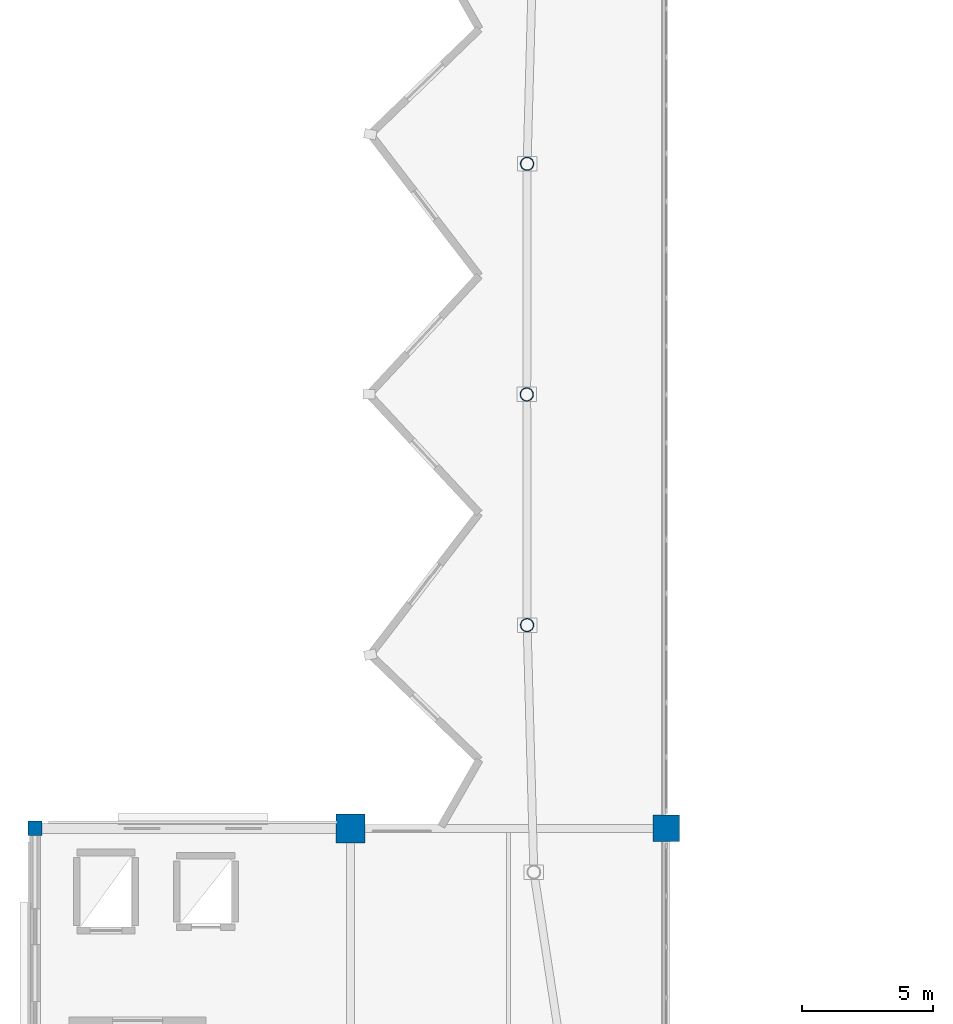
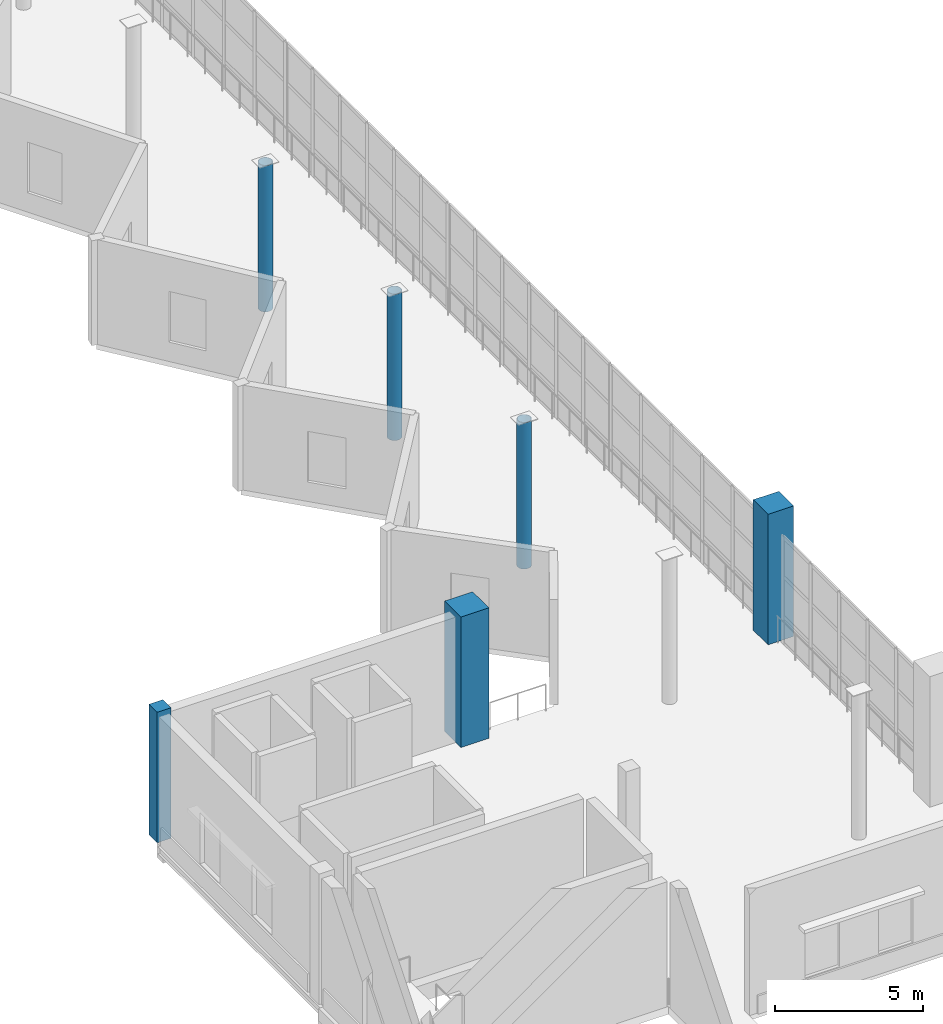
# One storey, part 3 of 49: 6 columns.
"""IFC4 building model written with IfcOpenShell, lengths in metres."""

import ifcopenshell
import ifcopenshell.guid

model = None  # the IFC model being written
_history = None  # IfcOwnerHistory: only IFC2X3 demands one
_inside = {}  # id of a spatial element -> (the spatial element, [elements in it])
_under = {}  # id of a project, library or spatial element -> (it, [spatial elements below it])
_declared = {}  # id of a project -> (the project, [libraries it declares])
_typed = {}  # id of a type object -> (the type object, [elements of that type])
_made_of = {}  # id of a material, layer set ... -> (it, [elements and type objects made of it])


def new_model(schema):
    """Start an empty IFC model of exactly this schema.

    Asked for "IFC4X3", IfcOpenShell would pick the latest addendum, in which some entities
    have other attributes; the version numbers below select the first issue.
    IFC2X3 requires an IfcOwnerHistory on every rooted entity: one is made here for all.
    """
    global model, _history
    if schema == "IFC4X3":
        model = ifcopenshell.file(schema_version=(4, 3, 0, 0))
    else:
        model = ifcopenshell.file(schema=schema)
    _inside.clear()
    _under.clear()
    _declared.clear()
    _typed.clear()
    _made_of.clear()
    _history = None
    if model.schema == "IFC2X3":
        org = make("IfcOrganization", Name="unknown")
        user = make(
            "IfcPersonAndOrganization",
            ThePerson=make("IfcPerson", FamilyName="unknown"),
            TheOrganization=org,
        )
        app = make(
            "IfcApplication",
            ApplicationDeveloper=org,
            Version="unknown",
            ApplicationFullName="unknown",
            ApplicationIdentifier="unknown",
        )
        _history = make(
            "IfcOwnerHistory",
            OwningUser=user,
            OwningApplication=app,
            ChangeAction="ADDED",
            CreationDate=0,
        )
    return model


def make(cls, **values):
    """One entity of the class cls with the attributes given. An attribute that is None is left unset."""
    return model.create_entity(
        cls, **{name: value for name, value in values.items() if value is not None}
    )


def rooted(cls, **values):
    """An entity with a GlobalId (a new one), such as an element, a storey or a relation."""
    return make(cls, GlobalId=ifcopenshell.guid.new(), OwnerHistory=_history, **values)


def si_unit(unit_type, name, prefix=None):
    """IfcSIUnit, for example si_unit("LENGTHUNIT", "METRE", prefix="MILLI")."""
    return make("IfcSIUnit", UnitType=unit_type, Prefix=prefix, Name=name)


def assignment(units):
    """IfcUnitAssignment: the units of a project."""
    return None if units is None else make("IfcUnitAssignment", Units=units)


def point(xyz):
    """IfcCartesianPoint."""
    return None if xyz is None else make("IfcCartesianPoint", Coordinates=xyz)


def direction(xyz):
    """IfcDirection."""
    return None if xyz is None else make("IfcDirection", DirectionRatios=xyz)


def frame(location, z_axis=None, x_axis=None):
    """IfcAxis2Placement3D, a coordinate frame: its origin and axes. An axis left out is left unset."""
    return make(
        "IfcAxis2Placement3D",
        Location=point(location),
        Axis=direction(z_axis),
        RefDirection=direction(x_axis),
    )


def frame_2d(location, x_axis=None):
    """IfcAxis2Placement2D, a coordinate frame in the plane: its origin and x axis."""
    return make(
        "IfcAxis2Placement2D", Location=point(location), RefDirection=direction(x_axis)
    )


def origin():
    """The frame at (0, 0, 0) with its axes left unset."""
    return frame((0.0, 0.0, 0.0))


def origin_2d():
    """The frame at (0, 0) in the plane with its x axis left unset."""
    return frame_2d((0.0, 0.0))


def place(relative_to, where):
    """IfcLocalPlacement: puts the frame where relative to a parent placement (None: the world)."""
    return make(
        "IfcLocalPlacement", PlacementRelTo=relative_to, RelativePlacement=where
    )


def context(
    kind, dimensions, precision=None, world=None, true_north=None, identifier=None
):
    """IfcGeometricRepresentationContext, for example the 3D "Model" context."""
    return make(
        "IfcGeometricRepresentationContext",
        ContextIdentifier=identifier,
        ContextType=kind,
        CoordinateSpaceDimension=dimensions,
        Precision=precision,
        WorldCoordinateSystem=world,
        TrueNorth=true_north,
    )


def subcontext(parent, identifier, kind, view, scale=None):
    """IfcGeometricRepresentationSubContext, for example "Body" below "Model"."""
    return make(
        "IfcGeometricRepresentationSubContext",
        ContextIdentifier=identifier,
        ContextType=kind,
        ParentContext=parent,
        TargetScale=scale,
        TargetView=view,
    )


def project(units=None, contexts=None):
    """IfcProject with its units and contexts."""
    return rooted(
        "IfcProject",
        Name="project",
        RepresentationContexts=contexts,
        UnitsInContext=assignment(units),
    )


def spatial(cls, under=None, at=None, **own):
    """A site, building, storey or space (cls), placed at a placement, below another one or the project."""
    s = rooted(cls, ObjectPlacement=at, **own)
    if under is not None:
        _under.setdefault(under.id(), (under, []))[1].append(s)
    return s


def profile(cls, at=None, kind="AREA", **sizes):
    """A parametric profile (cls). Its sizes go by their IFC names, for example OverallWidth=200.0."""
    return make(cls, ProfileType=kind, Position=at, **sizes)


def rectangle(**sizes):
    """IfcRectangleProfileDef."""
    return profile("IfcRectangleProfileDef", **sizes)


def hollow_circle(**sizes):
    """IfcCircleHollowProfileDef."""
    return profile("IfcCircleHollowProfileDef", **sizes)


def extrude(swept, where, along, depth):
    """IfcExtrudedAreaSolid: the profile swept, set in the frame where, extruded along a direction by depth."""
    return make(
        "IfcExtrudedAreaSolid",
        SweptArea=swept,
        Position=where,
        ExtrudedDirection=direction(along),
        Depth=depth,
    )


def shape(context_of_items, identifier, shape_type, items):
    """IfcShapeRepresentation: the items that make up one representation, for example the "Body"."""
    return make(
        "IfcShapeRepresentation",
        ContextOfItems=context_of_items,
        RepresentationIdentifier=identifier,
        RepresentationType=shape_type,
        Items=items,
    )


def material(Name=None, Category=None):
    """IfcMaterial."""
    return make("IfcMaterial", Name=Name, Category=Category)


def material_profile(
    of_material, cross_section, Name=None, Category=None, Priority=None
):
    """IfcMaterialProfile: a cross section and its material."""
    return make(
        "IfcMaterialProfile",
        Name=Name,
        Material=of_material,
        Profile=cross_section,
        Priority=Priority,
        Category=Category,
    )


def profile_set(profiles, Name=None, composite=None):
    """IfcMaterialProfileSet."""
    return make(
        "IfcMaterialProfileSet",
        Name=Name,
        MaterialProfiles=profiles,
        CompositeProfile=composite,
    )


def made_of(thing, what):
    """Note that an element or type object is made of a material, layer set ...; save() writes the relation."""
    if what is not None:
        _made_of.setdefault(what.id(), (what, []))[1].append(thing)
    return thing


def type_object(cls, material=None, **own):
    """A type object (cls), such as IfcWallType, which elements share."""
    return made_of(rooted(cls, **own), material)


def element(
    cls,
    number,
    at=None,
    inside=None,
    cuts=None,
    type_object=None,
    material=None,
    context=None,
    identifier="Body",
    shape_type=None,
    held_by="IfcProductDefinitionShape",
    body=None,
    shapes=None,
    **own,
):
    """One element of the class cls, such as IfcWall. Its Tag is "e" and its number.

    at: its placement. inside: the storey or other place that contains it. cuts: it is an
    opening in that element (IfcRelVoidsElement). A single representation is given by context,
    identifier, shape_type and body (its items); several are given by shapes. held_by: the class
    of the entity that holds the representations. save() writes the other relations.
    """
    e = rooted(cls, Tag="e%d" % number, ObjectPlacement=at, **own)
    if body is not None:
        shapes = [shape(context, identifier, shape_type, body)]
    if shapes is not None:
        e.Representation = make(held_by, Representations=shapes)
    if inside is not None:
        _inside.setdefault(inside.id(), (inside, []))[1].append(e)
    if cuts is not None:
        rooted(
            "IfcRelVoidsElement", RelatingBuildingElement=cuts, RelatedOpeningElement=e
        )
    if type_object is not None:
        _typed.setdefault(type_object.id(), (type_object, []))[1].append(e)
    return made_of(e, material)


def aggregate(whole, parts):
    """IfcRelAggregates: a whole, such as a stair, and the parts it consists of."""
    return rooted("IfcRelAggregates", RelatingObject=whole, RelatedObjects=parts)


def save(model, path):
    """Write the relations noted so far, then the file.

    IfcRelAggregates (storeys below a building ...), IfcRelContainedInSpatialStructure (elements
    in a storey), IfcRelDefinesByType, IfcRelAssociatesMaterial and IfcRelDeclares: one each for
    every whole, place, type object, material and project.
    """
    for whole, parts in _under.values():
        aggregate(whole, parts)
    for where, things in _inside.values():
        rooted(
            "IfcRelContainedInSpatialStructure",
            RelatedElements=things,
            RelatingStructure=where,
        )
    for kind, things in _typed.values():
        rooted("IfcRelDefinesByType", RelatedObjects=things, RelatingType=kind)
    for what, things in _made_of.values():
        rooted("IfcRelAssociatesMaterial", RelatedObjects=things, RelatingMaterial=what)
    for by, libraries in _declared.values():
        rooted("IfcRelDeclares", RelatingContext=by, RelatedDefinitions=libraries)
    model.write(path)


model = new_model("IFC4")

# Units and contexts
model_context = context("Model", 3, precision=1e-05, world=origin(), true_north=direction((0.0, 1.0)))
body_context = subcontext(model_context, "Body", "Model", "MODEL_VIEW")
ifc_project = project(units=[si_unit("LENGTHUNIT", "METRE"), si_unit("AREAUNIT", "SQUARE_METRE"), si_unit("VOLUMEUNIT", "CUBIC_METRE"), si_unit("PLANEANGLEUNIT", "RADIAN"), si_unit("MASSUNIT", "GRAM", prefix="KILO")], contexts=[model_context])

# Site, building, storey
site_placement = place(None, origin())
site = spatial("IfcSite", under=ifc_project, at=site_placement, CompositionType="ELEMENT")
building_placement = place(site_placement, origin())
building = spatial("IfcBuilding", under=site, at=building_placement, Name="Luwafu Chhajja Arena", CompositionType="ELEMENT")
storey_placement = place(building_placement, frame((0.0, 0.0, 24.300048828125)))
storey = spatial("IfcBuildingStorey", under=building, at=storey_placement, Name="L05", CompositionType="ELEMENT", Elevation=24.300048828125)

# Columns
ifc_material_1 = material(Name="Concrete C40/50", Category="concrete")
ifc_material_profile_1 = material_profile(ifc_material_1, rectangle(XDim=1.0, YDim=1.0, at=origin_2d()), Name="RC 1000x1000")
ifc_profile_set_1 = profile_set([ifc_material_profile_1], Name="Concrete C40/50")
column_type_1 = type_object("IfcColumnType", Name="Bowl Primary Column RC 1000", PredefinedType="COLUMN", material=ifc_profile_set_1)
column_1_placement = place(storey_placement, frame((58.0, 33.0, 0.0), z_axis=(0.0, 0.0, 1.0), x_axis=(1.0, 0.0, 0.0)))
element("IfcColumn", 1, at=column_1_placement, inside=storey, type_object=column_type_1, Name="L05 Grid Column 6/D", PredefinedType="COLUMN", context=body_context, shape_type="SweptSolid", body=[
    extrude(rectangle(XDim=1.0, YDim=1.0, at=origin_2d()), origin(), (0.0, 0.0, 1.0), 5.39990234375),
])
ifc_material_profile_2 = material_profile(ifc_material_1, rectangle(XDim=1.10009765625, YDim=1.10009765625, at=origin_2d()), Name="RC 1100x1100")
ifc_profile_set_2 = profile_set([ifc_material_profile_2], Name="Concrete C40/50")
column_type_2 = type_object("IfcColumnType", Name="Bowl Rim Mega Column RC 1100", PredefinedType="COLUMN", material=ifc_profile_set_2)
column_2_placement = place(storey_placement, frame((46.0, 33.0, 0.0), z_axis=(0.0, 0.0, 1.0), x_axis=(1.0, 0.0, 0.0)))
element("IfcColumn", 2, at=column_2_placement, inside=storey, type_object=column_type_2, Name="L05 Grid Column 5/D", PredefinedType="COLUMN", context=body_context, shape_type="SweptSolid", body=[
    extrude(rectangle(XDim=1.10009765625, YDim=1.10009765625, at=origin_2d()), origin(), (0.0, 0.0, 1.0), 5.39990234375),
])
ifc_material_2 = material(Name="Concrete C35/45", Category="concrete")
ifc_material_profile_3 = material_profile(ifc_material_2, rectangle(XDim=0.550048828125, YDim=0.550048828125, at=origin_2d()), Name="RC 550x550")
ifc_profile_set_3 = profile_set([ifc_material_profile_3], Name="Concrete C35/45")
column_type_3 = type_object("IfcColumnType", Name="Gallery Column RC 550", PredefinedType="COLUMN", material=ifc_profile_set_3)
column_3_placement = place(storey_placement, frame((34.0, 33.0, 0.0), z_axis=(0.0, 0.0, 1.0), x_axis=(1.0, 0.0, 0.0)))
element("IfcColumn", 3, at=column_3_placement, inside=storey, type_object=column_type_3, Name="L05 Grid Column 4/D", PredefinedType="COLUMN", context=body_context, shape_type="SweptSolid", body=[
    extrude(rectangle(XDim=0.550048828125, YDim=0.550048828125, at=origin_2d()), origin(), (0.0, 0.0, 1.0), 5.39990234375),
])
ifc_material_3 = material(Name="Steel S355", Category="steel")
ifc_material_profile_4 = material_profile(ifc_material_3, hollow_circle(Radius=0.25390625, WallThickness=0.02001953125, at=origin_2d()), Name="CHS 508x20")
ifc_profile_set_4 = profile_set([ifc_material_profile_4], Name="Steel S355")
column_type_4 = type_object("IfcColumnType", Name="Steel Upper Drum Column CHS 508", PredefinedType="COLUMN", material=ifc_profile_set_4)
for number, where, z_axis, x_axis, name in (
    (4, (52.71240234375, 58.269775390625, 0.0), (0.0, 0.0, 1.0), (1.0, 0.0, 0.0), "L05 Bowl Drum Column D16"),
    (5, (52.699951171875, 49.5, 0.0), (0.0, 0.0, 1.0), (1.0, 0.0, 0.0), "L05 Bowl Drum Column D17"),
    (6, (52.71240234375, 40.730224609375, 0.0), (0.0, 0.0, 1.0), (1.0, 0.0, 0.0), "L05 Bowl Drum Column D18"),
):
    element("IfcColumn", number, at=place(storey_placement, frame(where, z_axis=z_axis, x_axis=x_axis)), inside=storey, type_object=column_type_4, Name=name, PredefinedType="COLUMN", context=body_context, shape_type="SweptSolid", body=[
        extrude(hollow_circle(Radius=0.25390625, WallThickness=0.02001953125, at=origin_2d()), origin(), (0.0, 0.0, 1.0), 6.050048828125),
    ])

save(model, "model.ifc")
